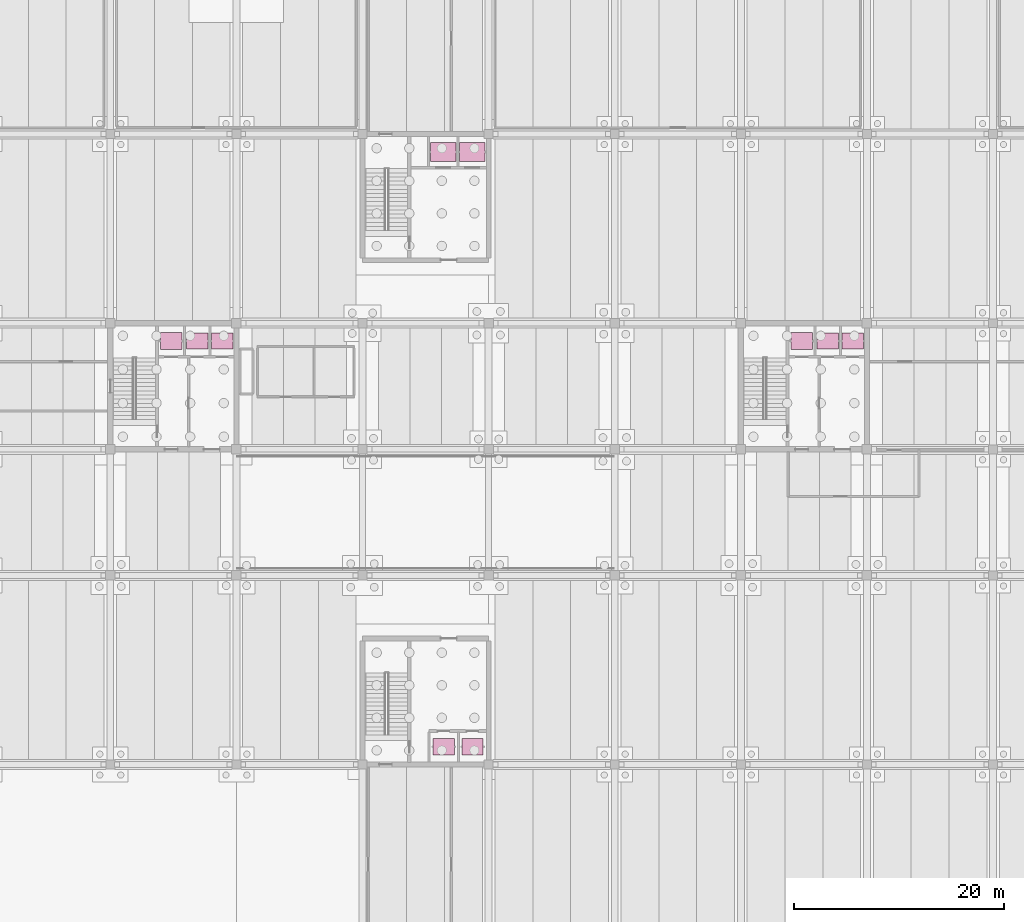
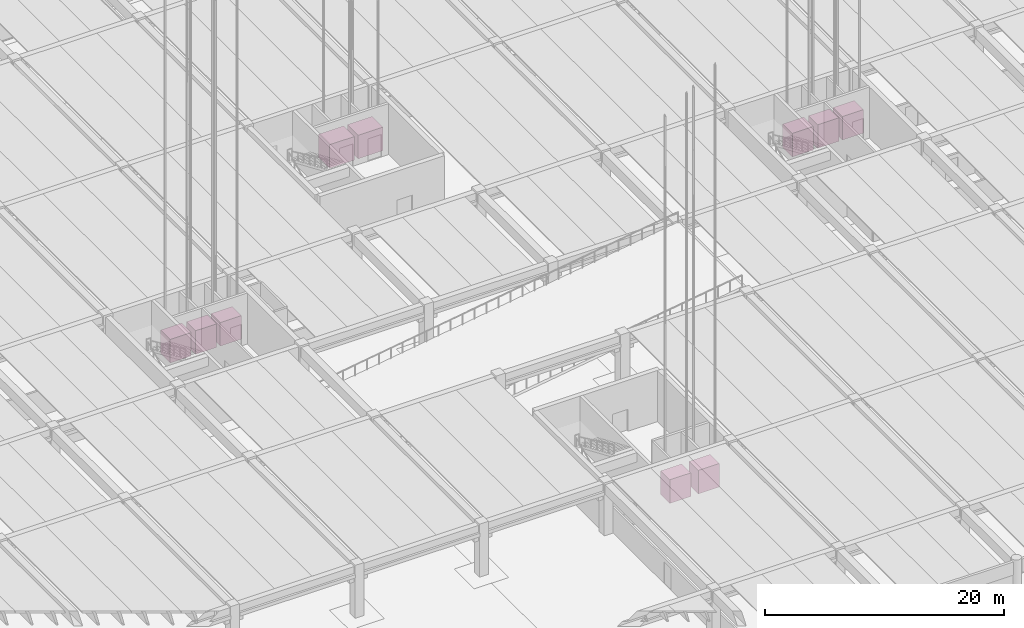
# One storey, part 59 of 59: 10 transport elements.
"""IFC4 building model written with IfcOpenShell, lengths in metres."""

from ifc_helpers import new_model, si_unit, direction, frame, origin, origin_2d, place, context, subcontext, project, spatial, rectangle, extrude, material, type_object, element, save


model = new_model("IFC4")

# Units and contexts
model_context = context("Model", 3, precision=1e-05, world=origin(), true_north=direction((0.0, 1.0)))
body_context = subcontext(model_context, "Body", "Model", "MODEL_VIEW")
ifc_project = project(units=[si_unit("LENGTHUNIT", "METRE"), si_unit("AREAUNIT", "SQUARE_METRE"), si_unit("VOLUMEUNIT", "CUBIC_METRE"), si_unit("PLANEANGLEUNIT", "RADIAN"), si_unit("MASSUNIT", "GRAM", prefix="KILO")], contexts=[model_context])

# Site, building, storey
site_placement = place(None, origin())
site = spatial("IfcSite", under=ifc_project, at=site_placement, CompositionType="ELEMENT")
building_placement = place(site_placement, origin())
building = spatial("IfcBuilding", under=site, at=building_placement, Name="Girod Span Mobility Hub", CompositionType="ELEMENT")
storey_placement = place(building_placement, origin())
storey = spatial("IfcBuildingStorey", under=building, at=storey_placement, Name="L00", CompositionType="ELEMENT", Elevation=0.0)

# Transport elements
ifc_material_1 = material(Name="Brushed Stainless Steel Grade 304", Category="steel")
transport_element_type_1 = type_object("IfcTransportElementType", Name="LFT-BIKE-2400X1800", PredefinedType="ELEVATOR", material=ifc_material_1)
for number, where, z_axis, x_axis, name in (
    (1, (79.679931640625, 85.300048828125, 0.0), (0.0, 0.0, 1.0), (1.0, 0.0, 0.0), "Bicycle Cargo Lift LB-1"),
    (2, (82.449951171875, 85.300048828125, 0.0), (0.0, 0.0, 1.0), (1.0, 0.0, 0.0), "Bicycle Cargo Lift LB-2"),
):
    element("IfcTransportElement", number, at=place(storey_placement, frame(where, z_axis=z_axis, x_axis=x_axis)), inside=storey, type_object=transport_element_type_1, Name=name, PredefinedType="ELEVATOR", context=body_context, shape_type="SweptSolid", body=[
        extrude(rectangle(XDim=2.39990234375, YDim=1.800048828125, at=origin_2d()), origin(), (0.0, 0.0, 1.0), 2.39990234375),
    ])
ifc_material_2 = material(Name="Brushed Stainless Steel Grade 304", Category="steel")
transport_element_type_2 = type_object("IfcTransportElementType", Name="LFT-FSAE-2030X1600", PredefinedType="ELEVATOR", material=ifc_material_2)
for number, where, z_axis, x_axis, name in (
    (3, (53.800048828125, 67.300048828125, 0.0), (0.0, 0.0, 1.0), (1.0, 0.0, 0.0), "Firefighting Lift FL-1"),
    (4, (113.800048828125, 67.300048828125, 0.0), (0.0, 0.0, 1.0), (1.0, 0.0, 0.0), "Firefighting Lift FL-2"),
):
    element("IfcTransportElement", number, at=place(storey_placement, frame(where, z_axis=z_axis, x_axis=x_axis)), inside=storey, type_object=transport_element_type_2, Name=name, PredefinedType="ELEVATOR", context=body_context, shape_type="SweptSolid", body=[
        extrude(rectangle(XDim=2.030029296875, YDim=1.60009765625, at=origin_2d()), origin(), (0.0, 0.0, 1.0), 2.39990234375),
    ])
ifc_material_3 = material(Name="Brushed Stainless Steel Grade 304", Category="steel")
transport_element_type_3 = type_object("IfcTransportElementType", Name="LFT-PASS-2030X1525", PredefinedType="ELEVATOR", material=ifc_material_3)
for number, where, z_axis, x_axis, name in (
    (5, (56.27490234375, 67.300048828125, 0.0), (0.0, 0.0, 1.0), (1.0, 0.0, 0.0), "Passenger Lift LP-1"),
    (6, (58.64990234375, 67.300048828125, 0.0), (0.0, 0.0, 1.0), (1.0, 0.0, 0.0), "Passenger Lift LP-2"),
    (7, (116.27490234375, 67.300048828125, 0.0), (0.0, 0.0, 1.0), (1.0, 0.0, 0.0), "Passenger Lift LP-3"),
    (8, (118.64990234375, 67.300048828125, 0.0), (0.0, 0.0, 1.0), (1.0, 0.0, 0.0), "Passenger Lift LP-4"),
    (9, (79.719970703125, 28.699951171875, 0.0), (0.0, 0.0, 1.0), (1.0, 0.0, 0.0), "Mobility Lift LP-5"),
    (10, (82.469970703125, 28.699951171875, 0.0), (0.0, 0.0, 1.0), (1.0, 0.0, 0.0), "Mobility Lift LP-6"),
):
    element("IfcTransportElement", number, at=place(storey_placement, frame(where, z_axis=z_axis, x_axis=x_axis)), inside=storey, type_object=transport_element_type_3, Name=name, PredefinedType="ELEVATOR", context=body_context, shape_type="SweptSolid", body=[
        extrude(rectangle(XDim=2.030029296875, YDim=1.52490234375, at=origin_2d()), origin(), (0.0, 0.0, 1.0), 2.39990234375),
    ])

save(model, "model.ifc")
